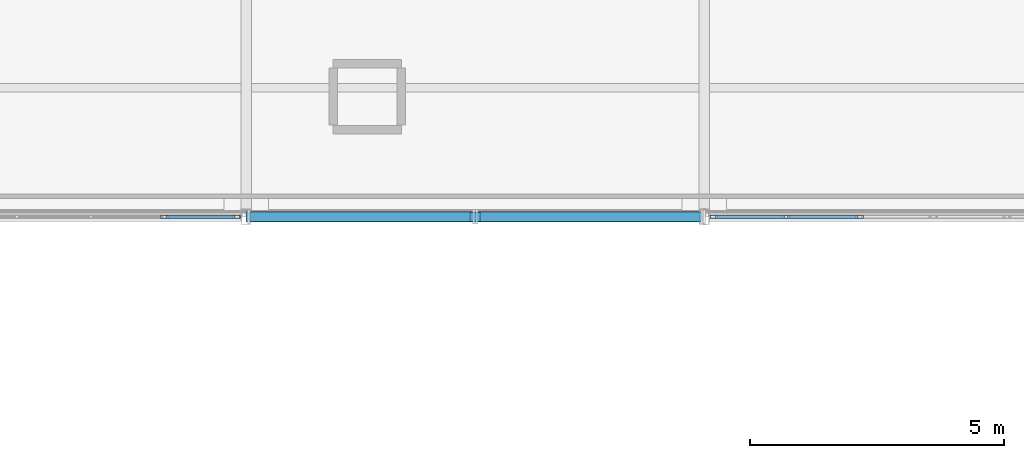
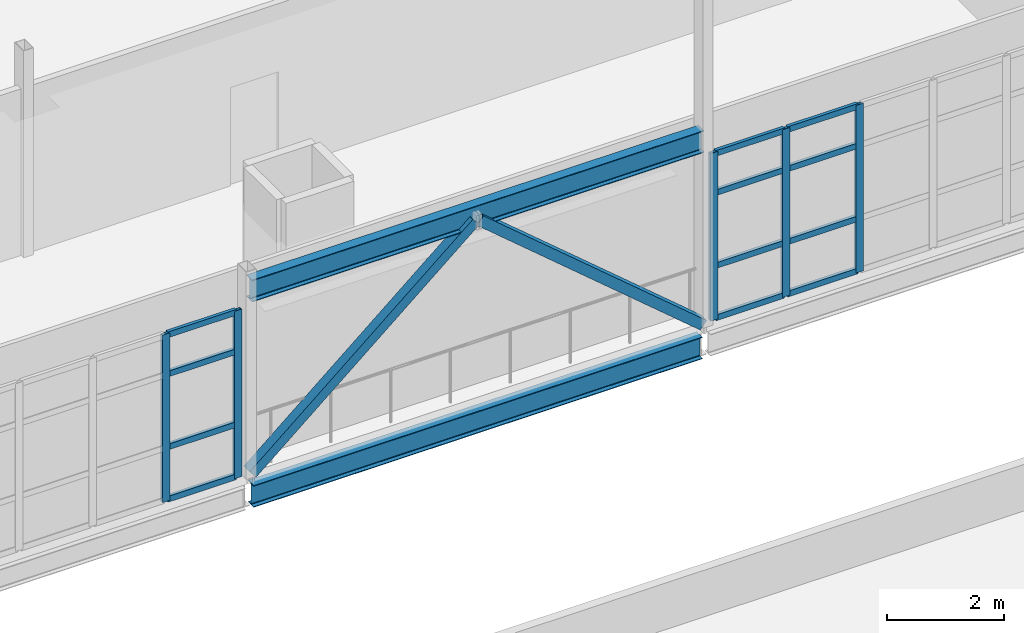
# One storey, part 28 of 166: 19 members, 2 beams, 2 elements without a shape of their own.
"""IFC4 building model written with IfcOpenShell, lengths in metres."""

from ifc_helpers import new_model, si_unit, direction, frame, origin, origin_2d, place, context, subcontext, project, spatial, hollow_rectangle, i_section, extrude, material, material_profile, profile_set, type_object, element, aggregate, save


model = new_model("IFC4")

# Units and contexts
model_context = context("Model", 3, precision=1e-05, world=origin(), true_north=direction((0.0, 1.0)))
body_context = subcontext(model_context, "Body", "Model", "MODEL_VIEW")
ifc_project = project(units=[si_unit("LENGTHUNIT", "METRE"), si_unit("AREAUNIT", "SQUARE_METRE"), si_unit("VOLUMEUNIT", "CUBIC_METRE"), si_unit("PLANEANGLEUNIT", "RADIAN"), si_unit("MASSUNIT", "GRAM", prefix="KILO")], contexts=[model_context])

# Site, building, storey
site_placement = place(None, origin())
site = spatial("IfcSite", under=ifc_project, at=site_placement, CompositionType="ELEMENT")
building_placement = place(site_placement, origin())
building = spatial("IfcBuilding", under=site, at=building_placement, Name="Caisbarro Railhouse Central Library", CompositionType="ELEMENT")
storey_placement = place(building_placement, frame((0.0, 0.0, 9.360107421875)))
storey = spatial("IfcBuildingStorey", under=building, at=storey_placement, Name="L02", CompositionType="ELEMENT", Elevation=9.360107421875)

# Beams
ifc_material_1 = material(Name="Steel ASTM A572 Grade 50", Category="steel")
ifc_material_profile_1 = material_profile(ifc_material_1, i_section(OverallWidth=0.18994140625, OverallDepth=0.45703125, WebThickness=0.009033203125, FlangeThickness=0.014404296875, FilletRadius=0.01806640625, at=origin_2d()), Name="W460X74.0")
ifc_profile_set_1 = profile_set([ifc_material_profile_1], Name="Steel ASTM A572 Grade 50")
beam_type = type_object("IfcBeamType", Name="BM-SP01", PredefinedType="SPANDREL", material=ifc_profile_set_1)
beam_1_placement = place(storey_placement, frame((18.080078125, 30.39990234375, -0.448486328125), z_axis=(1.0, 0.0, 0.0), x_axis=(0.0, 1.0, 0.0)))
element("IfcBeam", 1, at=beam_1_placement, inside=storey, type_object=beam_type, Name="SP01 beam L02 #1353", PredefinedType="SPANDREL", context=body_context, shape_type="SweptSolid", body=[
    extrude(i_section(OverallWidth=0.18994140625, OverallDepth=0.45703125, WebThickness=0.009033203125, FlangeThickness=0.014404296875, FilletRadius=0.01806640625, at=origin_2d()), origin(), (0.0, 0.0, 1.0), 8.83984375),
])
beam_2_placement = place(storey_placement, frame((18.050048828125, 30.39990234375, 3.83984375), z_axis=(1.0, 0.0, 0.0), x_axis=(0.0, 1.0, 0.0)))
element("IfcBeam", 2, at=beam_2_placement, inside=storey, type_object=beam_type, Name="SP01 braced bay eave cap beam V1 L02", PredefinedType="SPANDREL", context=body_context, shape_type="SweptSolid", body=[
    extrude(i_section(OverallWidth=0.18994140625, OverallDepth=0.45703125, WebThickness=0.009033203125, FlangeThickness=0.014404296875, FilletRadius=0.01806640625, at=origin_2d()), origin(), (0.0, 0.0, 1.0), 8.89990234375),
])

# Curtain wall, members
ifc_material_2 = material(Name="Anodised architectural aluminium", Category="aluminium")
curtain_wall_type = type_object("IfcCurtainWallType", Name="CW-CW02", PredefinedType="NOTDEFINED", material=ifc_material_2)
curtain_wall_1_placement = place(storey_placement, origin())
curtain_wall_1 = element("IfcCurtainWall", 3, at=curtain_wall_1_placement, inside=storey, type_object=curtain_wall_type, Name="CW02 curtain wall L02 #44", PredefinedType="NOTDEFINED")
ifc_material_profile_2 = material_profile(ifc_material_2, hollow_rectangle(XDim=0.06494140625, YDim=0.14990234375, WallThickness=0.00390625, at=origin_2d()), Name="ALU-MUL-65X150")
ifc_profile_set_2 = profile_set([ifc_material_profile_2], Name="Anodised architectural aluminium")
member_type_1 = type_object("IfcMemberType", Name="CWM-M02", PredefinedType="MULLION", material=ifc_profile_set_2)
member_1_placement = place(storey_placement, frame((16.393310546875, 30.39990234375, 0.0), z_axis=(0.0, 0.0, 1.0), x_axis=(0.0, 1.0, 0.0)))
member_1 = element("IfcMember", 4, at=member_1_placement, type_object=member_type_1, Name="CW02 mullion 6", PredefinedType="MULLION", context=body_context, shape_type="SweptSolid", body=[
    extrude(hollow_rectangle(XDim=0.06494140625, YDim=0.14990234375, WallThickness=0.00390625, at=origin_2d()), origin(), (0.0, 0.0, 1.0), 3.489990234375),
])
member_2_placement = place(storey_placement, frame((17.8076171875, 30.39990234375, 0.0), z_axis=(0.0, 0.0, 1.0), x_axis=(0.0, 1.0, 0.0)))
member_2 = element("IfcMember", 5, at=member_2_placement, type_object=member_type_1, Name="CW02 mullion 7", PredefinedType="MULLION", context=body_context, shape_type="SweptSolid", body=[
    extrude(hollow_rectangle(XDim=0.06494140625, YDim=0.14990234375, WallThickness=0.00390625, at=origin_2d()), origin(), (0.0, 0.0, 1.0), 3.489990234375),
])

curtain_wall_2_placement = place(storey_placement, origin())
curtain_wall_2 = element("IfcCurtainWall", 6, at=curtain_wall_2_placement, inside=storey, type_object=curtain_wall_type, Name="CW02 curtain wall L02 #45", PredefinedType="NOTDEFINED")
member_3_placement = place(storey_placement, frame((27.1923828125, 30.39990234375, 0.0), z_axis=(0.0, 0.0, 1.0), x_axis=(0.0, 1.0, 0.0)))
member_3 = element("IfcMember", 7, at=member_3_placement, type_object=member_type_1, Name="CW02 mullion 1", PredefinedType="MULLION", context=body_context, shape_type="SweptSolid", body=[
    extrude(hollow_rectangle(XDim=0.06494140625, YDim=0.14990234375, WallThickness=0.00390625, at=origin_2d()), origin(), (0.0, 0.0, 1.0), 3.489990234375),
])
member_4_placement = place(storey_placement, frame((28.606689453125, 30.39990234375, 0.0), z_axis=(0.0, 0.0, 1.0), x_axis=(0.0, 1.0, 0.0)))
member_4 = element("IfcMember", 8, at=member_4_placement, type_object=member_type_1, Name="CW02 mullion 2", PredefinedType="MULLION", context=body_context, shape_type="SweptSolid", body=[
    extrude(hollow_rectangle(XDim=0.06494140625, YDim=0.14990234375, WallThickness=0.00390625, at=origin_2d()), origin(), (0.0, 0.0, 1.0), 3.489990234375),
])
member_5_placement = place(storey_placement, frame((30.05322265625, 30.39990234375, 0.0), z_axis=(0.0, 0.0, 1.0), x_axis=(0.0, 1.0, 0.0)))
member_5 = element("IfcMember", 9, at=member_5_placement, type_object=member_type_1, Name="CW02 mullion 3", PredefinedType="MULLION", context=body_context, shape_type="SweptSolid", body=[
    extrude(hollow_rectangle(XDim=0.06494140625, YDim=0.14990234375, WallThickness=0.00390625, at=origin_2d()), origin(), (0.0, 0.0, 1.0), 3.489990234375),
])

# Member
ifc_material_profile_3 = material_profile(ifc_material_2, hollow_rectangle(XDim=0.06494140625, YDim=0.1201171875, WallThickness=0.00341796875, at=origin_2d()), Name="ALU-TRN-65X120")
ifc_profile_set_3 = profile_set([ifc_material_profile_3], Name="Anodised architectural aluminium")
member_type_2 = type_object("IfcMemberType", Name="CWT-T02", PredefinedType="USERDEFINED", material=ifc_profile_set_3)
member_6_placement = place(storey_placement, frame((16.42578125, 30.39990234375, 0.032470703125), z_axis=(1.0, 0.0, 0.0), x_axis=(0.0, 1.0, 0.0)))
member_6 = element("IfcMember", 10, at=member_6_placement, type_object=member_type_2, Name="CW02 transom 6.1", ObjectType="TRANSOM", PredefinedType="USERDEFINED", context=body_context, shape_type="SweptSolid", body=[
    extrude(hollow_rectangle(XDim=0.06494140625, YDim=0.1201171875, WallThickness=0.00341796875, at=origin_2d()), origin(), (0.0, 0.0, 1.0), 1.34912109375),
])

member_7_placement = place(storey_placement, frame((16.42578125, 30.39990234375, 1.119873046875), z_axis=(1.0, 0.0, 0.0), x_axis=(0.0, 1.0, 0.0)))
member_7 = element("IfcMember", 11, at=member_7_placement, type_object=member_type_2, Name="CW02 transom 6.2", ObjectType="TRANSOM", PredefinedType="USERDEFINED", context=body_context, shape_type="SweptSolid", body=[
    extrude(hollow_rectangle(XDim=0.06494140625, YDim=0.1201171875, WallThickness=0.00341796875, at=origin_2d()), origin(), (0.0, 0.0, 1.0), 1.34912109375),
])

member_8_placement = place(storey_placement, frame((16.42578125, 30.39990234375, 2.639892578125), z_axis=(1.0, 0.0, 0.0), x_axis=(0.0, 1.0, 0.0)))
member_8 = element("IfcMember", 12, at=member_8_placement, type_object=member_type_2, Name="CW02 transom 6.3", ObjectType="TRANSOM", PredefinedType="USERDEFINED", context=body_context, shape_type="SweptSolid", body=[
    extrude(hollow_rectangle(XDim=0.06494140625, YDim=0.1201171875, WallThickness=0.00341796875, at=origin_2d()), origin(), (0.0, 0.0, 1.0), 1.34912109375),
])

member_9_placement = place(storey_placement, frame((16.42578125, 30.39990234375, 3.457275390625), z_axis=(1.0, 0.0, 0.0), x_axis=(0.0, 1.0, 0.0)))
member_9 = element("IfcMember", 13, at=member_9_placement, type_object=member_type_2, Name="CW02 transom 6.4", ObjectType="TRANSOM", PredefinedType="USERDEFINED", context=body_context, shape_type="SweptSolid", body=[
    extrude(hollow_rectangle(XDim=0.06494140625, YDim=0.1201171875, WallThickness=0.00341796875, at=origin_2d()), origin(), (0.0, 0.0, 1.0), 1.34912109375),
])

aggregate(curtain_wall_1, [member_1, member_2, member_6, member_7, member_8, member_9])

member_10_placement = place(storey_placement, frame((27.22509765625, 30.39990234375, 0.032470703125), z_axis=(1.0, 0.0, 0.0), x_axis=(0.0, 1.0, 0.0)))
member_10 = element("IfcMember", 14, at=member_10_placement, type_object=member_type_2, Name="CW02 transom 1.1", ObjectType="TRANSOM", PredefinedType="USERDEFINED", context=body_context, shape_type="SweptSolid", body=[
    extrude(hollow_rectangle(XDim=0.06494140625, YDim=0.1201171875, WallThickness=0.00341796875, at=origin_2d()), origin(), (0.0, 0.0, 1.0), 1.34912109375),
])

member_11_placement = place(storey_placement, frame((27.22509765625, 30.39990234375, 1.119873046875), z_axis=(1.0, 0.0, 0.0), x_axis=(0.0, 1.0, 0.0)))
member_11 = element("IfcMember", 15, at=member_11_placement, type_object=member_type_2, Name="CW02 transom 1.2", ObjectType="TRANSOM", PredefinedType="USERDEFINED", context=body_context, shape_type="SweptSolid", body=[
    extrude(hollow_rectangle(XDim=0.06494140625, YDim=0.1201171875, WallThickness=0.00341796875, at=origin_2d()), origin(), (0.0, 0.0, 1.0), 1.34912109375),
])

member_12_placement = place(storey_placement, frame((27.22509765625, 30.39990234375, 2.639892578125), z_axis=(1.0, 0.0, 0.0), x_axis=(0.0, 1.0, 0.0)))
member_12 = element("IfcMember", 16, at=member_12_placement, type_object=member_type_2, Name="CW02 transom 1.3", ObjectType="TRANSOM", PredefinedType="USERDEFINED", context=body_context, shape_type="SweptSolid", body=[
    extrude(hollow_rectangle(XDim=0.06494140625, YDim=0.1201171875, WallThickness=0.00341796875, at=origin_2d()), origin(), (0.0, 0.0, 1.0), 1.34912109375),
])

member_13_placement = place(storey_placement, frame((27.22509765625, 30.39990234375, 3.457275390625), z_axis=(1.0, 0.0, 0.0), x_axis=(0.0, 1.0, 0.0)))
member_13 = element("IfcMember", 17, at=member_13_placement, type_object=member_type_2, Name="CW02 transom 1.4", ObjectType="TRANSOM", PredefinedType="USERDEFINED", context=body_context, shape_type="SweptSolid", body=[
    extrude(hollow_rectangle(XDim=0.06494140625, YDim=0.1201171875, WallThickness=0.00341796875, at=origin_2d()), origin(), (0.0, 0.0, 1.0), 1.34912109375),
])

member_14_placement = place(storey_placement, frame((28.63916015625, 30.39990234375, 0.032470703125), z_axis=(1.0, 0.0, 0.0), x_axis=(0.0, 1.0, 0.0)))
member_14 = element("IfcMember", 18, at=member_14_placement, type_object=member_type_2, Name="CW02 transom 2.1", ObjectType="TRANSOM", PredefinedType="USERDEFINED", context=body_context, shape_type="SweptSolid", body=[
    extrude(hollow_rectangle(XDim=0.06494140625, YDim=0.1201171875, WallThickness=0.00341796875, at=origin_2d()), origin(), (0.0, 0.0, 1.0), 1.381591796875),
])

member_15_placement = place(storey_placement, frame((28.63916015625, 30.39990234375, 1.119873046875), z_axis=(1.0, 0.0, 0.0), x_axis=(0.0, 1.0, 0.0)))
member_15 = element("IfcMember", 19, at=member_15_placement, type_object=member_type_2, Name="CW02 transom 2.2", ObjectType="TRANSOM", PredefinedType="USERDEFINED", context=body_context, shape_type="SweptSolid", body=[
    extrude(hollow_rectangle(XDim=0.06494140625, YDim=0.1201171875, WallThickness=0.00341796875, at=origin_2d()), origin(), (0.0, 0.0, 1.0), 1.381591796875),
])

member_16_placement = place(storey_placement, frame((28.63916015625, 30.39990234375, 2.639892578125), z_axis=(1.0, 0.0, 0.0), x_axis=(0.0, 1.0, 0.0)))
member_16 = element("IfcMember", 20, at=member_16_placement, type_object=member_type_2, Name="CW02 transom 2.3", ObjectType="TRANSOM", PredefinedType="USERDEFINED", context=body_context, shape_type="SweptSolid", body=[
    extrude(hollow_rectangle(XDim=0.06494140625, YDim=0.1201171875, WallThickness=0.00341796875, at=origin_2d()), origin(), (0.0, 0.0, 1.0), 1.381591796875),
])

member_17_placement = place(storey_placement, frame((28.63916015625, 30.39990234375, 3.457275390625), z_axis=(1.0, 0.0, 0.0), x_axis=(0.0, 1.0, 0.0)))
member_17 = element("IfcMember", 21, at=member_17_placement, type_object=member_type_2, Name="CW02 transom 2.4", ObjectType="TRANSOM", PredefinedType="USERDEFINED", context=body_context, shape_type="SweptSolid", body=[
    extrude(hollow_rectangle(XDim=0.06494140625, YDim=0.1201171875, WallThickness=0.00341796875, at=origin_2d()), origin(), (0.0, 0.0, 1.0), 1.381591796875),
])

aggregate(curtain_wall_2, [member_3, member_4, member_5, member_10, member_11, member_12, member_13, member_14, member_15, member_16, member_17])

# Members
ifc_material_profile_4 = material_profile(ifc_material_1, hollow_rectangle(XDim=0.199951171875, YDim=0.199951171875, WallThickness=0.012451171875, at=origin_2d()), Name="HSS200X200X12.5")
ifc_profile_set_4 = profile_set([ifc_material_profile_4], Name="Steel ASTM A572 Grade 50")
member_type_3 = type_object("IfcMemberType", Name="MEM-BR01", PredefinedType="BRACE", material=ifc_profile_set_4)
for number, where, z_axis, x_axis, name in (
    (22, (18.06005859375, 30.39990234375, 0.019775390625), (0.763624099978, 0.0, 0.645661082869), (0.0, 1.0, 0.0), "BR01 chevron brace Y30-W L02.1"),
    (23, (26.93994140625, 30.39990234375, 0.019775390625), (-0.763624099978, 0.0, 0.645661082869), (0.0, -1.0, 0.0), "BR01 chevron brace Y30-W L02.2"),
):
    element("IfcMember", number, at=place(storey_placement, frame(where, z_axis=z_axis, x_axis=x_axis)), inside=storey, type_object=member_type_3, Name=name, PredefinedType="BRACE", context=body_context, shape_type="SweptSolid", body=[
        extrude(hollow_rectangle(XDim=0.199951171875, YDim=0.199951171875, WallThickness=0.012451171875, at=origin_2d()), origin(), (0.0, 0.0, 1.0), 5.761962890625),
    ])

save(model, "model.ifc")
